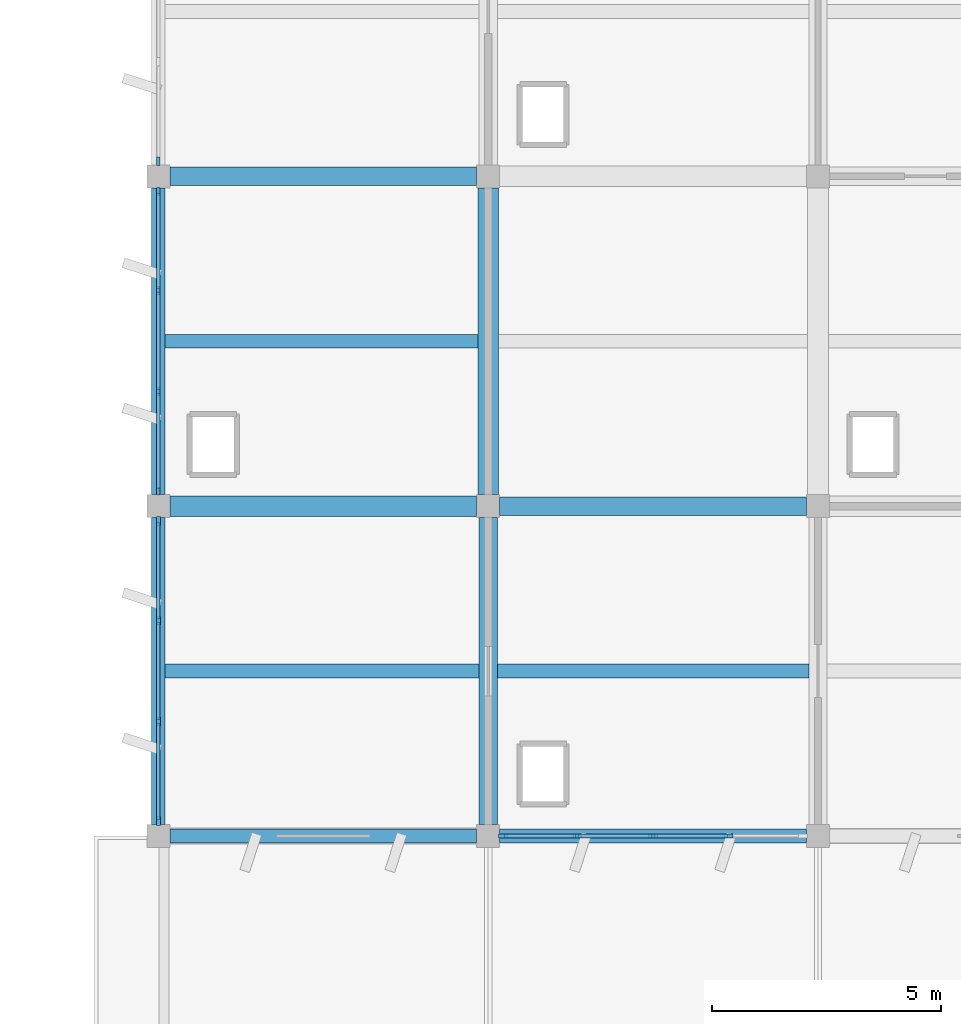
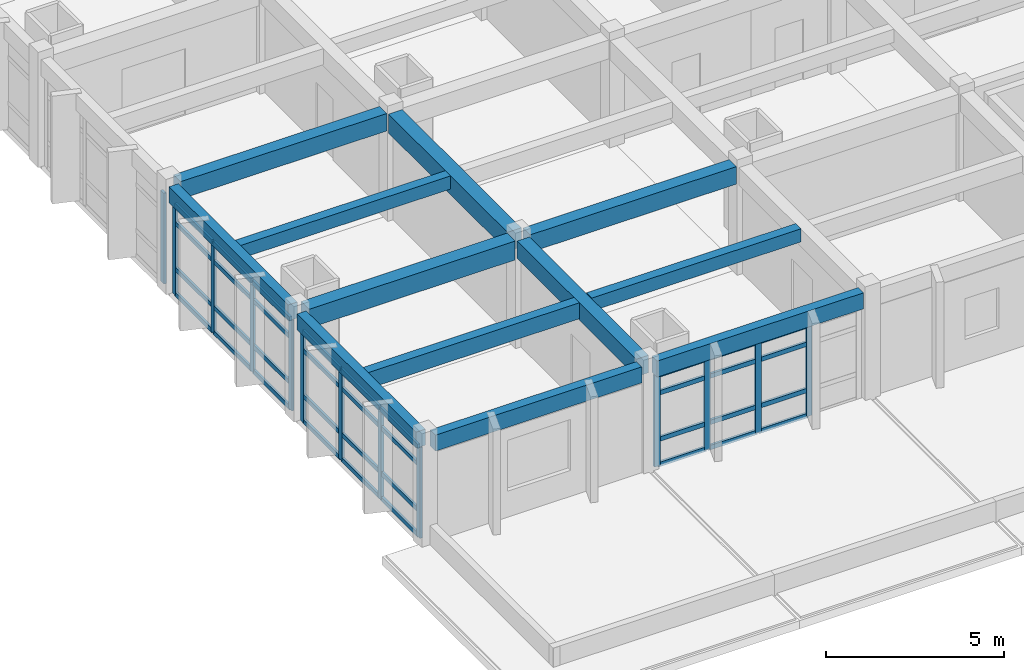
# One storey, part 13 of 40: 49 members, 12 beams, 4 elements without a shape of their own.
"""IFC4 building model written with IfcOpenShell, lengths in metres."""

from ifc_helpers import new_model, si_unit, direction, frame, origin, origin_2d, place, context, subcontext, project, spatial, rectangle, extrude, material, layer, layer_set, material_profile, profile_set, type_object, element, aggregate, save


model = new_model("IFC4")

# Units and contexts
model_context = context("Model", 3, precision=1e-05, world=origin(), true_north=direction((0.0, 1.0)))
body_context = subcontext(model_context, "Body", "Model", "MODEL_VIEW")
ifc_project = project(units=[si_unit("LENGTHUNIT", "METRE"), si_unit("AREAUNIT", "SQUARE_METRE"), si_unit("VOLUMEUNIT", "CUBIC_METRE"), si_unit("PLANEANGLEUNIT", "RADIAN"), si_unit("MASSUNIT", "GRAM", prefix="KILO")], contexts=[model_context])

# Site, building, storey
site_placement = place(None, origin())
site = spatial("IfcSite", under=ifc_project, at=site_placement, CompositionType="ELEMENT")
building_placement = place(site_placement, origin())
building = spatial("IfcBuilding", under=site, at=building_placement, Name="Kavelor Marine Aquarium", CompositionType="ELEMENT")
storey_placement = place(building_placement, frame((0.0, 0.0, 17.639892578125)))
storey = spatial("IfcBuildingStorey", under=building, at=storey_placement, Name="L04", CompositionType="ELEMENT", Elevation=17.639892578125)

# Beams
ifc_material_1 = material(Name="Concrete C40/50", Category="concrete")
ifc_material_profile_1 = material_profile(ifc_material_1, rectangle(XDim=0.449951171875, YDim=0.64990234375, at=origin_2d()), Name="RC-BM 450x650")
ifc_profile_set_1 = profile_set([ifc_material_profile_1], Name="Concrete C40/50")
beam_type_1 = type_object("IfcBeamType", Name="BM-B3", PredefinedType="BEAM", material=ifc_profile_set_1)
beam_1_placement = place(storey_placement, frame((118.64990234375, 74.800048828125, 3.355224609375), z_axis=(1.0, 0.0, 0.0), x_axis=(0.0, 1.0, 0.0)))
element("IfcBeam", 1, at=beam_1_placement, inside=storey, type_object=beam_type_1, Name="bm:x:L04:L05:16_10", PredefinedType="BEAM", context=body_context, shape_type="SweptSolid", body=[
    extrude(rectangle(XDim=0.449951171875, YDim=0.64990234375, at=origin_2d()), origin(), (0.0, 0.0, 1.0), 6.7001953125),
])
beam_2_placement = place(storey_placement, frame((125.60009765625, 75.050048828125, 3.355224609375), z_axis=(0.0, 1.0, 0.0), x_axis=(-1.0, 0.0, 0.0)))
element("IfcBeam", 2, at=beam_2_placement, inside=storey, type_object=beam_type_1, Name="bm:y:L04:L05:17_10", PredefinedType="BEAM", context=body_context, shape_type="SweptSolid", body=[
    extrude(rectangle(XDim=0.449951171875, YDim=0.64990234375, at=origin_2d()), origin(), (0.0, 0.0, 1.0), 6.699951171875),
])
ifc_material_2 = material(Name="Concrete C40/50", Category="concrete")
ifc_material_profile_2 = material_profile(ifc_material_2, rectangle(XDim=0.39990234375, YDim=0.60009765625, at=origin_2d()), Name="RC-BM 400x600")
ifc_profile_set_2 = profile_set([ifc_material_profile_2], Name="Concrete C40/50")
beam_type_2 = type_object("IfcBeamType", Name="BM-B4", PredefinedType="BEAM", material=ifc_profile_set_2)
beam_3_placement = place(storey_placement, frame((118.64990234375, 82.0, 3.380126953125), z_axis=(1.0, 0.0, 0.0), x_axis=(0.0, 1.0, 0.0)))
element("IfcBeam", 3, at=beam_3_placement, inside=storey, type_object=beam_type_2, Name="bm:x:L04:L05:16_11", PredefinedType="BEAM", context=body_context, shape_type="SweptSolid", body=[
    extrude(rectangle(XDim=0.39990234375, YDim=0.60009765625, at=origin_2d()), origin(), (0.0, 0.0, 1.0), 6.7001953125),
])
for number, where, z_axis, x_axis, name in (
    (4, (125.85009765625, 74.800048828125, 3.400146484375), (1.0, 0.0, 0.0), (0.0, 1.0, 0.0), "bm:x:L04:L05:17_10"),
    (5, (125.60009765625, 67.85009765625, 3.380126953125), (0.0, 1.0, 0.0), (-1.0, 0.0, 0.0), "bm:y:L04:L05:17_09"),
):
    element("IfcBeam", number, at=place(storey_placement, frame(where, z_axis=z_axis, x_axis=x_axis)), inside=storey, type_object=beam_type_2, Name=name, PredefinedType="BEAM", context=body_context, shape_type="SweptSolid", body=[
        extrude(rectangle(XDim=0.39990234375, YDim=0.60009765625, at=origin_2d()), origin(), (0.0, 0.0, 1.0), 6.699951171875),
    ])
ifc_material_3 = material(Name="Concrete C40/50", Category="concrete")
ifc_material_profile_3 = material_profile(ifc_material_3, rectangle(XDim=0.300048828125, YDim=0.449951171875, at=origin_2d()), Name="RC-JS 300x450")
ifc_profile_set_3 = profile_set([ifc_material_profile_3], Name="Concrete C40/50")
beam_type_3 = type_object("IfcBeamType", Name="BM-JS1", PredefinedType="JOIST", material=ifc_profile_set_3)
beam_4_placement = place(storey_placement, frame((118.550048828125, 78.39990234375, 3.455078125), z_axis=(1.0, 0.0, 0.0), x_axis=(0.0, 1.0, 0.0)))
element("IfcBeam", 6, at=beam_4_placement, inside=storey, type_object=beam_type_3, Name="js:L04:L05:16_10", PredefinedType="JOIST", context=body_context, shape_type="SweptSolid", body=[
    extrude(rectangle(XDim=0.300048828125, YDim=0.449951171875, at=origin_2d()), origin(), (0.0, 0.0, 1.0), 6.824951171875),
])
beam_5_placement = place(storey_placement, frame((125.800048828125, 71.199951171875, 3.47509765625), z_axis=(1.0, 0.0, 0.0), x_axis=(0.0, 1.0, 0.0)))
element("IfcBeam", 7, at=beam_5_placement, inside=storey, type_object=beam_type_3, Name="js:L04:L05:17_09", PredefinedType="JOIST", context=body_context, shape_type="SweptSolid", body=[
    extrude(rectangle(XDim=0.300048828125, YDim=0.449951171875, at=origin_2d()), origin(), (0.0, 0.0, 1.0), 6.800048828125),
])
ifc_material_4 = material(Name="Concrete C40/50", Category="concrete")
ifc_material_profile_4 = material_profile(ifc_material_4, rectangle(XDim=0.300048828125, YDim=0.550048828125, at=origin_2d()), Name="RC-JS 300x550")
ifc_profile_set_4 = profile_set([ifc_material_profile_4], Name="Concrete C40/50")
beam_type_4 = type_object("IfcBeamType", Name="BM-JS2", PredefinedType="JOIST", material=ifc_profile_set_4)
beam_6_placement = place(storey_placement, frame((118.550048828125, 71.199951171875, 3.405029296875), z_axis=(1.0, 0.0, 0.0), x_axis=(0.0, 1.0, 0.0)))
element("IfcBeam", 8, at=beam_6_placement, inside=storey, type_object=beam_type_4, Name="js:L04:L05:16_09", PredefinedType="JOIST", context=body_context, shape_type="SweptSolid", body=[
    extrude(rectangle(XDim=0.300048828125, YDim=0.550048828125, at=origin_2d()), origin(), (0.0, 0.0, 1.0), 6.849853515625),
])
ifc_material_5 = material(Name="Concrete C40/50", Category="concrete")
ifc_material_profile_5 = material_profile(ifc_material_5, rectangle(XDim=0.300048828125, YDim=0.550048828125, at=origin_2d()), Name="RC-SP 300x550")
ifc_profile_set_5 = profile_set([ifc_material_profile_5], Name="Concrete C40/50")
beam_type_5 = type_object("IfcBeamType", Name="BM-SP2", PredefinedType="SPANDREL", material=ifc_profile_set_5)
beam_7_placement = place(storey_placement, frame((118.64990234375, 67.60009765625, 3.405029296875), z_axis=(1.0, 0.0, 0.0), x_axis=(0.0, 1.0, 0.0)))
element("IfcBeam", 9, at=beam_7_placement, inside=storey, type_object=beam_type_5, Name="bm:x:L04:L05:16_09", PredefinedType="SPANDREL", context=body_context, shape_type="SweptSolid", body=[
    extrude(rectangle(XDim=0.300048828125, YDim=0.550048828125, at=origin_2d()), origin(), (0.0, 0.0, 1.0), 6.7001953125),
])
for number, where, z_axis, x_axis, name in (
    (10, (125.85009765625, 67.60009765625, 3.425048828125), (1.0, 0.0, 0.0), (0.0, 1.0, 0.0), "bm:x:L04:L05:17_09"),
    (11, (118.39990234375, 67.85009765625, 3.405029296875), (0.0, 1.0, 0.0), (-1.0, 0.0, 0.0), "bm:y:L04:L05:16_09"),
    (12, (118.39990234375, 75.050048828125, 3.405029296875), (0.0, 1.0, 0.0), (-1.0, 0.0, 0.0), "bm:y:L04:L05:16_10"),
):
    element("IfcBeam", number, at=place(storey_placement, frame(where, z_axis=z_axis, x_axis=x_axis)), inside=storey, type_object=beam_type_5, Name=name, PredefinedType="SPANDREL", context=body_context, shape_type="SweptSolid", body=[
        extrude(rectangle(XDim=0.300048828125, YDim=0.550048828125, at=origin_2d()), origin(), (0.0, 0.0, 1.0), 6.699951171875),
    ])

# Curtain wall, members
ifc_material_6 = material(Name="Thermally Broken Aluminium and Low-E Glass", Category="aluminium")
ifc_layer_1 = layer(ifc_material_6, 0.2919921875)
ifc_layer_set_1 = layer_set([ifc_layer_1], Name="CW-SYS19")
curtain_wall_type_1 = type_object("IfcCurtainWallType", Name="CW-SYS19", PredefinedType="USERDEFINED", material=ifc_layer_set_1)
curtain_wall_1_placement = place(storey_placement, origin())
curtain_wall_1 = element("IfcCurtainWall", 13, at=curtain_wall_1_placement, inside=storey, type_object=curtain_wall_type_1, Name="cw:y:L04:16_10", ObjectType="Curtain Wall", PredefinedType="USERDEFINED")
ifc_material_7 = material(Name="Anodised Aluminium Alloy 6063-T6", Category="aluminium")
ifc_material_profile_6 = material_profile(ifc_material_7, rectangle(XDim=0.074951171875, YDim=0.179931640625, at=origin_2d()), Name="CW-MUL 75x180")
ifc_profile_set_6 = profile_set([ifc_material_profile_6], Name="Anodised Aluminium Alloy 6063-T6")
member_type_1 = type_object("IfcMemberType", Name="CWM-1", PredefinedType="MULLION", material=ifc_profile_set_6)
member_1_placement = place(storey_placement, frame((118.39990234375, 81.66748046875, 0.0), z_axis=(0.0, 0.0, 1.0), x_axis=(1.0, 0.0, 0.0)))
member_1 = element("IfcMember", 14, at=member_1_placement, type_object=member_type_1, Name="CW19 mullion 1", PredefinedType="MULLION", context=body_context, shape_type="SweptSolid", body=[
    extrude(rectangle(XDim=0.074951171875, YDim=0.179931640625, at=origin_2d()), origin(), (0.0, 0.0, 1.0), 3.1201171875),
])
member_2_placement = place(storey_placement, frame((118.39990234375, 79.501708984375, 0.0), z_axis=(0.0, 0.0, 1.0), x_axis=(1.0, 0.0, 0.0)))
member_2 = element("IfcMember", 15, at=member_2_placement, type_object=member_type_1, Name="CW19 mullion 2", PredefinedType="MULLION", context=body_context, shape_type="SweptSolid", body=[
    extrude(rectangle(XDim=0.074951171875, YDim=0.179931640625, at=origin_2d()), origin(), (0.0, 0.0, 1.0), 3.1201171875),
])
member_3_placement = place(storey_placement, frame((118.39990234375, 77.29833984375, 0.0), z_axis=(0.0, 0.0, 1.0), x_axis=(1.0, 0.0, 0.0)))
member_3 = element("IfcMember", 16, at=member_3_placement, type_object=member_type_1, Name="CW19 mullion 3", PredefinedType="MULLION", context=body_context, shape_type="SweptSolid", body=[
    extrude(rectangle(XDim=0.074951171875, YDim=0.179931640625, at=origin_2d()), origin(), (0.0, 0.0, 1.0), 3.1201171875),
])
member_4_placement = place(storey_placement, frame((118.39990234375, 75.132568359375, 0.0), z_axis=(0.0, 0.0, 1.0), x_axis=(1.0, 0.0, 0.0)))
member_4 = element("IfcMember", 17, at=member_4_placement, type_object=member_type_1, Name="CW19 mullion 4", PredefinedType="MULLION", context=body_context, shape_type="SweptSolid", body=[
    extrude(rectangle(XDim=0.074951171875, YDim=0.179931640625, at=origin_2d()), origin(), (0.0, 0.0, 1.0), 3.1201171875),
])

# Curtain wall, member
ifc_material_8 = material(Name="Thermally Broken Aluminium and Low-E Glass", Category="aluminium")
ifc_layer_2 = layer(ifc_material_8, 0.300048828125)
ifc_layer_set_2 = layer_set([ifc_layer_2], Name="CW-SYS20")
curtain_wall_type_2 = type_object("IfcCurtainWallType", Name="CW-SYS20", PredefinedType="USERDEFINED", material=ifc_layer_set_2)
curtain_wall_2_placement = place(storey_placement, origin())
curtain_wall_2 = element("IfcCurtainWall", 18, at=curtain_wall_2_placement, inside=storey, type_object=curtain_wall_type_2, Name="cw:y:L04:16_11", ObjectType="Curtain Wall", PredefinedType="USERDEFINED")
ifc_material_9 = material(Name="Anodised Aluminium Alloy 6063-T6", Category="aluminium")
ifc_material_profile_7 = material_profile(ifc_material_9, rectangle(XDim=0.080078125, YDim=0.18505859375, at=origin_2d()), Name="CW-MUL 80x185")
ifc_profile_set_7 = profile_set([ifc_material_profile_7], Name="Anodised Aluminium Alloy 6063-T6")
member_type_2 = type_object("IfcMemberType", Name="CWM-2", PredefinedType="MULLION", material=ifc_profile_set_7)
member_5_placement = place(storey_placement, frame((118.39990234375, 82.327392578125, 0.0), z_axis=(0.0, 0.0, 1.0), x_axis=(1.0, 0.0, 0.0)))
member_5 = element("IfcMember", 19, at=member_5_placement, type_object=member_type_2, Name="CW20 mullion 4", PredefinedType="MULLION", context=body_context, shape_type="SweptSolid", body=[
    extrude(rectangle(XDim=0.080078125, YDim=0.18505859375, at=origin_2d()), origin(), (0.0, 0.0, 1.0), 3.1201171875),
])
aggregate(curtain_wall_2, [member_5])

# Curtain wall, members
ifc_material_10 = material(Name="Thermally Broken Aluminium and Low-E Glass", Category="aluminium")
ifc_layer_3 = layer(ifc_material_10, 0.260009765625)
ifc_layer_set_3 = layer_set([ifc_layer_3], Name="CW-SYS15")
curtain_wall_type_3 = type_object("IfcCurtainWallType", Name="CW-SYS15", PredefinedType="USERDEFINED", material=ifc_layer_set_3)
curtain_wall_3_placement = place(storey_placement, origin())
curtain_wall_3 = element("IfcCurtainWall", 20, at=curtain_wall_3_placement, inside=storey, type_object=curtain_wall_type_3, Name="cw:x:L04:17_09", ObjectType="Curtain Wall", PredefinedType="USERDEFINED")
ifc_material_11 = material(Name="Anodised Aluminium Alloy 6063-T6", Category="aluminium")
ifc_material_profile_8 = material_profile(ifc_material_11, rectangle(XDim=0.0849609375, YDim=0.18994140625, at=origin_2d()), Name="CW-MUL 85x190")
ifc_profile_set_8 = profile_set([ifc_material_profile_8], Name="Anodised Aluminium Alloy 6063-T6")
member_type_3 = type_object("IfcMemberType", Name="CWM-3", PredefinedType="MULLION", material=ifc_profile_set_8)
member_6_placement = place(storey_placement, frame((130.8525390625, 67.60009765625, 0.0), z_axis=(0.0, 0.0, 1.0), x_axis=(0.0, -1.0, 0.0)))
member_6 = element("IfcMember", 21, at=member_6_placement, type_object=member_type_3, Name="CW15 mullion 2", PredefinedType="MULLION", context=body_context, shape_type="SweptSolid", body=[
    extrude(rectangle(XDim=0.0849609375, YDim=0.18994140625, at=origin_2d()), origin(), (0.0, 0.0, 1.0), 3.14013671875),
])
member_7_placement = place(storey_placement, frame((129.199951171875, 67.60009765625, 0.0), z_axis=(0.0, 0.0, 1.0), x_axis=(0.0, -1.0, 0.0)))
member_7 = element("IfcMember", 22, at=member_7_placement, type_object=member_type_3, Name="CW15 mullion 3", PredefinedType="MULLION", context=body_context, shape_type="SweptSolid", body=[
    extrude(rectangle(XDim=0.0849609375, YDim=0.18994140625, at=origin_2d()), origin(), (0.0, 0.0, 1.0), 3.14013671875),
])
member_8_placement = place(storey_placement, frame((127.547607421875, 67.60009765625, 0.0), z_axis=(0.0, 0.0, 1.0), x_axis=(0.0, -1.0, 0.0)))
member_8 = element("IfcMember", 23, at=member_8_placement, type_object=member_type_3, Name="CW15 mullion 4", PredefinedType="MULLION", context=body_context, shape_type="SweptSolid", body=[
    extrude(rectangle(XDim=0.0849609375, YDim=0.18994140625, at=origin_2d()), origin(), (0.0, 0.0, 1.0), 3.14013671875),
])
member_9_placement = place(storey_placement, frame((125.925048828125, 67.60009765625, 0.0), z_axis=(0.0, 0.0, 1.0), x_axis=(0.0, -1.0, 0.0)))
member_9 = element("IfcMember", 24, at=member_9_placement, type_object=member_type_3, Name="CW15 mullion 5", PredefinedType="MULLION", context=body_context, shape_type="SweptSolid", body=[
    extrude(rectangle(XDim=0.0849609375, YDim=0.18994140625, at=origin_2d()), origin(), (0.0, 0.0, 1.0), 3.14013671875),
])

ifc_material_12 = material(Name="Thermally Broken Aluminium and Low-E Glass", Category="aluminium")
ifc_layer_4 = layer(ifc_material_12, 0.283935546875)
ifc_layer_set_4 = layer_set([ifc_layer_4], Name="CW-SYS18")
curtain_wall_type_4 = type_object("IfcCurtainWallType", Name="CW-SYS18", PredefinedType="USERDEFINED", material=ifc_layer_set_4)
curtain_wall_4_placement = place(storey_placement, origin())
curtain_wall_4 = element("IfcCurtainWall", 25, at=curtain_wall_4_placement, inside=storey, type_object=curtain_wall_type_4, Name="cw:y:L04:16_09", ObjectType="Curtain Wall", PredefinedType="USERDEFINED")
member_10_placement = place(storey_placement, frame((118.39990234375, 74.47509765625, 0.0), z_axis=(0.0, 0.0, 1.0), x_axis=(1.0, 0.0, 0.0)))
member_10 = element("IfcMember", 26, at=member_10_placement, type_object=member_type_3, Name="CW18 mullion 1", PredefinedType="MULLION", context=body_context, shape_type="SweptSolid", body=[
    extrude(rectangle(XDim=0.0849609375, YDim=0.18994140625, at=origin_2d()), origin(), (0.0, 0.0, 1.0), 3.1201171875),
])
member_11_placement = place(storey_placement, frame((118.39990234375, 72.3017578125, 0.0), z_axis=(0.0, 0.0, 1.0), x_axis=(1.0, 0.0, 0.0)))
member_11 = element("IfcMember", 27, at=member_11_placement, type_object=member_type_3, Name="CW18 mullion 2", PredefinedType="MULLION", context=body_context, shape_type="SweptSolid", body=[
    extrude(rectangle(XDim=0.0849609375, YDim=0.18994140625, at=origin_2d()), origin(), (0.0, 0.0, 1.0), 3.1201171875),
])
member_12_placement = place(storey_placement, frame((118.39990234375, 70.098388671875, 0.0), z_axis=(0.0, 0.0, 1.0), x_axis=(1.0, 0.0, 0.0)))
member_12 = element("IfcMember", 28, at=member_12_placement, type_object=member_type_3, Name="CW18 mullion 3", PredefinedType="MULLION", context=body_context, shape_type="SweptSolid", body=[
    extrude(rectangle(XDim=0.0849609375, YDim=0.18994140625, at=origin_2d()), origin(), (0.0, 0.0, 1.0), 3.1201171875),
])
member_13_placement = place(storey_placement, frame((118.39990234375, 67.925048828125, 0.0), z_axis=(0.0, 0.0, 1.0), x_axis=(1.0, 0.0, 0.0)))
member_13 = element("IfcMember", 29, at=member_13_placement, type_object=member_type_3, Name="CW18 mullion 4", PredefinedType="MULLION", context=body_context, shape_type="SweptSolid", body=[
    extrude(rectangle(XDim=0.0849609375, YDim=0.18994140625, at=origin_2d()), origin(), (0.0, 0.0, 1.0), 3.1201171875),
])
ifc_material_13 = material(Name="Anodised Aluminium Alloy 6063-T6", Category="aluminium")
ifc_material_profile_9 = material_profile(ifc_material_13, rectangle(XDim=0.074951171875, YDim=0.14990234375, at=origin_2d()), Name="CW-TRN 75x150")
ifc_profile_set_9 = profile_set([ifc_material_profile_9], Name="Anodised Aluminium Alloy 6063-T6")
member_type_4 = type_object("IfcMemberType", Name="CWT-1", PredefinedType="USERDEFINED", material=ifc_profile_set_9)
member_14_placement = place(storey_placement, frame((118.39990234375, 74.445068359375, 0.03759765625), z_axis=(0.0, -1.0, 0.0), x_axis=(1.0, 0.0, 0.0)))
member_14 = element("IfcMember", 30, at=member_14_placement, type_object=member_type_4, Name="CW18 transom 1.1", ObjectType="TRANSOM", PredefinedType="USERDEFINED", context=body_context, shape_type="SweptSolid", body=[
    extrude(rectangle(XDim=0.074951171875, YDim=0.14990234375, at=origin_2d()), origin(), (0.0, 0.0, 1.0), 2.11328125),
])
member_15_placement = place(storey_placement, frame((118.39990234375, 74.445068359375, 0.900146484375), z_axis=(0.0, -1.0, 0.0), x_axis=(1.0, 0.0, 0.0)))
member_15 = element("IfcMember", 31, at=member_15_placement, type_object=member_type_4, Name="CW18 transom 1.2", ObjectType="TRANSOM", PredefinedType="USERDEFINED", context=body_context, shape_type="SweptSolid", body=[
    extrude(rectangle(XDim=0.074951171875, YDim=0.14990234375, at=origin_2d()), origin(), (0.0, 0.0, 1.0), 2.11328125),
])
member_16_placement = place(storey_placement, frame((118.39990234375, 74.445068359375, 2.47021484375), z_axis=(0.0, -1.0, 0.0), x_axis=(1.0, 0.0, 0.0)))
member_16 = element("IfcMember", 32, at=member_16_placement, type_object=member_type_4, Name="CW18 transom 1.3", ObjectType="TRANSOM", PredefinedType="USERDEFINED", context=body_context, shape_type="SweptSolid", body=[
    extrude(rectangle(XDim=0.074951171875, YDim=0.14990234375, at=origin_2d()), origin(), (0.0, 0.0, 1.0), 2.11328125),
])
member_17_placement = place(storey_placement, frame((118.39990234375, 74.445068359375, 3.08251953125), z_axis=(0.0, -1.0, 0.0), x_axis=(1.0, 0.0, 0.0)))
member_17 = element("IfcMember", 33, at=member_17_placement, type_object=member_type_4, Name="CW18 transom 1.4", ObjectType="TRANSOM", PredefinedType="USERDEFINED", context=body_context, shape_type="SweptSolid", body=[
    extrude(rectangle(XDim=0.074951171875, YDim=0.14990234375, at=origin_2d()), origin(), (0.0, 0.0, 1.0), 2.11328125),
])
member_18_placement = place(storey_placement, frame((118.39990234375, 72.271728515625, 0.03759765625), z_axis=(0.0, -1.0, 0.0), x_axis=(1.0, 0.0, 0.0)))
member_18 = element("IfcMember", 34, at=member_18_placement, type_object=member_type_4, Name="CW18 transom 2.1", ObjectType="TRANSOM", PredefinedType="USERDEFINED", context=body_context, shape_type="SweptSolid", body=[
    extrude(rectangle(XDim=0.074951171875, YDim=0.14990234375, at=origin_2d()), origin(), (0.0, 0.0, 1.0), 2.143310546875),
])
member_19_placement = place(storey_placement, frame((118.39990234375, 72.271728515625, 0.900146484375), z_axis=(0.0, -1.0, 0.0), x_axis=(1.0, 0.0, 0.0)))
member_19 = element("IfcMember", 35, at=member_19_placement, type_object=member_type_4, Name="CW18 transom 2.2", ObjectType="TRANSOM", PredefinedType="USERDEFINED", context=body_context, shape_type="SweptSolid", body=[
    extrude(rectangle(XDim=0.074951171875, YDim=0.14990234375, at=origin_2d()), origin(), (0.0, 0.0, 1.0), 2.143310546875),
])
member_20_placement = place(storey_placement, frame((118.39990234375, 72.271728515625, 2.47021484375), z_axis=(0.0, -1.0, 0.0), x_axis=(1.0, 0.0, 0.0)))
member_20 = element("IfcMember", 36, at=member_20_placement, type_object=member_type_4, Name="CW18 transom 2.3", ObjectType="TRANSOM", PredefinedType="USERDEFINED", context=body_context, shape_type="SweptSolid", body=[
    extrude(rectangle(XDim=0.074951171875, YDim=0.14990234375, at=origin_2d()), origin(), (0.0, 0.0, 1.0), 2.143310546875),
])
member_21_placement = place(storey_placement, frame((118.39990234375, 72.271728515625, 3.08251953125), z_axis=(0.0, -1.0, 0.0), x_axis=(1.0, 0.0, 0.0)))
member_21 = element("IfcMember", 37, at=member_21_placement, type_object=member_type_4, Name="CW18 transom 2.4", ObjectType="TRANSOM", PredefinedType="USERDEFINED", context=body_context, shape_type="SweptSolid", body=[
    extrude(rectangle(XDim=0.074951171875, YDim=0.14990234375, at=origin_2d()), origin(), (0.0, 0.0, 1.0), 2.143310546875),
])
member_22_placement = place(storey_placement, frame((118.39990234375, 70.068359375, 0.03759765625), z_axis=(0.0, -1.0, 0.0), x_axis=(1.0, 0.0, 0.0)))
member_22 = element("IfcMember", 38, at=member_22_placement, type_object=member_type_4, Name="CW18 transom 3.1", ObjectType="TRANSOM", PredefinedType="USERDEFINED", context=body_context, shape_type="SweptSolid", body=[
    extrude(rectangle(XDim=0.074951171875, YDim=0.14990234375, at=origin_2d()), origin(), (0.0, 0.0, 1.0), 2.11328125),
])
member_23_placement = place(storey_placement, frame((118.39990234375, 70.068359375, 0.900146484375), z_axis=(0.0, -1.0, 0.0), x_axis=(1.0, 0.0, 0.0)))
member_23 = element("IfcMember", 39, at=member_23_placement, type_object=member_type_4, Name="CW18 transom 3.2", ObjectType="TRANSOM", PredefinedType="USERDEFINED", context=body_context, shape_type="SweptSolid", body=[
    extrude(rectangle(XDim=0.074951171875, YDim=0.14990234375, at=origin_2d()), origin(), (0.0, 0.0, 1.0), 2.11328125),
])
member_24_placement = place(storey_placement, frame((118.39990234375, 70.068359375, 2.47021484375), z_axis=(0.0, -1.0, 0.0), x_axis=(1.0, 0.0, 0.0)))
member_24 = element("IfcMember", 40, at=member_24_placement, type_object=member_type_4, Name="CW18 transom 3.3", ObjectType="TRANSOM", PredefinedType="USERDEFINED", context=body_context, shape_type="SweptSolid", body=[
    extrude(rectangle(XDim=0.074951171875, YDim=0.14990234375, at=origin_2d()), origin(), (0.0, 0.0, 1.0), 2.11328125),
])
member_25_placement = place(storey_placement, frame((118.39990234375, 70.068359375, 3.08251953125), z_axis=(0.0, -1.0, 0.0), x_axis=(1.0, 0.0, 0.0)))
member_25 = element("IfcMember", 41, at=member_25_placement, type_object=member_type_4, Name="CW18 transom 3.4", ObjectType="TRANSOM", PredefinedType="USERDEFINED", context=body_context, shape_type="SweptSolid", body=[
    extrude(rectangle(XDim=0.074951171875, YDim=0.14990234375, at=origin_2d()), origin(), (0.0, 0.0, 1.0), 2.11328125),
])
aggregate(curtain_wall_4, [member_10, member_11, member_12, member_13, member_14, member_15, member_16, member_17, member_18, member_19, member_20, member_21, member_22, member_23, member_24, member_25])

# Member
member_26_placement = place(storey_placement, frame((118.39990234375, 81.6298828125, 0.03759765625), z_axis=(0.0, -1.0, 0.0), x_axis=(1.0, 0.0, 0.0)))
member_26 = element("IfcMember", 42, at=member_26_placement, type_object=member_type_4, Name="CW19 transom 1.1", ObjectType="TRANSOM", PredefinedType="USERDEFINED", context=body_context, shape_type="SweptSolid", body=[
    extrude(rectangle(XDim=0.074951171875, YDim=0.14990234375, at=origin_2d()), origin(), (0.0, 0.0, 1.0), 2.0908203125),
])

member_27_placement = place(storey_placement, frame((118.39990234375, 81.6298828125, 0.900146484375), z_axis=(0.0, -1.0, 0.0), x_axis=(1.0, 0.0, 0.0)))
member_27 = element("IfcMember", 43, at=member_27_placement, type_object=member_type_4, Name="CW19 transom 1.2", ObjectType="TRANSOM", PredefinedType="USERDEFINED", context=body_context, shape_type="SweptSolid", body=[
    extrude(rectangle(XDim=0.074951171875, YDim=0.14990234375, at=origin_2d()), origin(), (0.0, 0.0, 1.0), 2.0908203125),
])

member_28_placement = place(storey_placement, frame((118.39990234375, 81.6298828125, 2.47021484375), z_axis=(0.0, -1.0, 0.0), x_axis=(1.0, 0.0, 0.0)))
member_28 = element("IfcMember", 44, at=member_28_placement, type_object=member_type_4, Name="CW19 transom 1.3", ObjectType="TRANSOM", PredefinedType="USERDEFINED", context=body_context, shape_type="SweptSolid", body=[
    extrude(rectangle(XDim=0.074951171875, YDim=0.14990234375, at=origin_2d()), origin(), (0.0, 0.0, 1.0), 2.0908203125),
])

member_29_placement = place(storey_placement, frame((118.39990234375, 81.6298828125, 3.08251953125), z_axis=(0.0, -1.0, 0.0), x_axis=(1.0, 0.0, 0.0)))
member_29 = element("IfcMember", 45, at=member_29_placement, type_object=member_type_4, Name="CW19 transom 1.4", ObjectType="TRANSOM", PredefinedType="USERDEFINED", context=body_context, shape_type="SweptSolid", body=[
    extrude(rectangle(XDim=0.074951171875, YDim=0.14990234375, at=origin_2d()), origin(), (0.0, 0.0, 1.0), 2.0908203125),
])

member_30_placement = place(storey_placement, frame((118.39990234375, 79.464111328125, 0.03759765625), z_axis=(0.0, -1.0, 0.0), x_axis=(1.0, 0.0, 0.0)))
member_30 = element("IfcMember", 46, at=member_30_placement, type_object=member_type_4, Name="CW19 transom 2.1", ObjectType="TRANSOM", PredefinedType="USERDEFINED", context=body_context, shape_type="SweptSolid", body=[
    extrude(rectangle(XDim=0.074951171875, YDim=0.14990234375, at=origin_2d()), origin(), (0.0, 0.0, 1.0), 2.128173828125),
])

member_31_placement = place(storey_placement, frame((118.39990234375, 79.464111328125, 0.900146484375), z_axis=(0.0, -1.0, 0.0), x_axis=(1.0, 0.0, 0.0)))
member_31 = element("IfcMember", 47, at=member_31_placement, type_object=member_type_4, Name="CW19 transom 2.2", ObjectType="TRANSOM", PredefinedType="USERDEFINED", context=body_context, shape_type="SweptSolid", body=[
    extrude(rectangle(XDim=0.074951171875, YDim=0.14990234375, at=origin_2d()), origin(), (0.0, 0.0, 1.0), 2.128173828125),
])

member_32_placement = place(storey_placement, frame((118.39990234375, 79.464111328125, 2.47021484375), z_axis=(0.0, -1.0, 0.0), x_axis=(1.0, 0.0, 0.0)))
member_32 = element("IfcMember", 48, at=member_32_placement, type_object=member_type_4, Name="CW19 transom 2.3", ObjectType="TRANSOM", PredefinedType="USERDEFINED", context=body_context, shape_type="SweptSolid", body=[
    extrude(rectangle(XDim=0.074951171875, YDim=0.14990234375, at=origin_2d()), origin(), (0.0, 0.0, 1.0), 2.128173828125),
])

member_33_placement = place(storey_placement, frame((118.39990234375, 79.464111328125, 3.08251953125), z_axis=(0.0, -1.0, 0.0), x_axis=(1.0, 0.0, 0.0)))
member_33 = element("IfcMember", 49, at=member_33_placement, type_object=member_type_4, Name="CW19 transom 2.4", ObjectType="TRANSOM", PredefinedType="USERDEFINED", context=body_context, shape_type="SweptSolid", body=[
    extrude(rectangle(XDim=0.074951171875, YDim=0.14990234375, at=origin_2d()), origin(), (0.0, 0.0, 1.0), 2.128173828125),
])

member_34_placement = place(storey_placement, frame((118.39990234375, 77.2607421875, 0.03759765625), z_axis=(0.0, -1.0, 0.0), x_axis=(1.0, 0.0, 0.0)))
member_34 = element("IfcMember", 50, at=member_34_placement, type_object=member_type_4, Name="CW19 transom 3.1", ObjectType="TRANSOM", PredefinedType="USERDEFINED", context=body_context, shape_type="SweptSolid", body=[
    extrude(rectangle(XDim=0.074951171875, YDim=0.14990234375, at=origin_2d()), origin(), (0.0, 0.0, 1.0), 2.0908203125),
])

member_35_placement = place(storey_placement, frame((118.39990234375, 77.2607421875, 0.900146484375), z_axis=(0.0, -1.0, 0.0), x_axis=(1.0, 0.0, 0.0)))
member_35 = element("IfcMember", 51, at=member_35_placement, type_object=member_type_4, Name="CW19 transom 3.2", ObjectType="TRANSOM", PredefinedType="USERDEFINED", context=body_context, shape_type="SweptSolid", body=[
    extrude(rectangle(XDim=0.074951171875, YDim=0.14990234375, at=origin_2d()), origin(), (0.0, 0.0, 1.0), 2.0908203125),
])

member_36_placement = place(storey_placement, frame((118.39990234375, 77.2607421875, 2.47021484375), z_axis=(0.0, -1.0, 0.0), x_axis=(1.0, 0.0, 0.0)))
member_36 = element("IfcMember", 52, at=member_36_placement, type_object=member_type_4, Name="CW19 transom 3.3", ObjectType="TRANSOM", PredefinedType="USERDEFINED", context=body_context, shape_type="SweptSolid", body=[
    extrude(rectangle(XDim=0.074951171875, YDim=0.14990234375, at=origin_2d()), origin(), (0.0, 0.0, 1.0), 2.0908203125),
])

member_37_placement = place(storey_placement, frame((118.39990234375, 77.2607421875, 3.08251953125), z_axis=(0.0, -1.0, 0.0), x_axis=(1.0, 0.0, 0.0)))
member_37 = element("IfcMember", 53, at=member_37_placement, type_object=member_type_4, Name="CW19 transom 3.4", ObjectType="TRANSOM", PredefinedType="USERDEFINED", context=body_context, shape_type="SweptSolid", body=[
    extrude(rectangle(XDim=0.074951171875, YDim=0.14990234375, at=origin_2d()), origin(), (0.0, 0.0, 1.0), 2.0908203125),
])

aggregate(curtain_wall_1, [member_1, member_2, member_3, member_4, member_26, member_27, member_28, member_29, member_30, member_31, member_32, member_33, member_34, member_35, member_36, member_37])

ifc_material_14 = material(Name="Anodised Aluminium Alloy 6063-T6", Category="aluminium")
ifc_material_profile_10 = material_profile(ifc_material_14, rectangle(XDim=0.080078125, YDim=0.155029296875, at=origin_2d()), Name="CW-TRN 80x155")
ifc_profile_set_10 = profile_set([ifc_material_profile_10], Name="Anodised Aluminium Alloy 6063-T6")
member_type_5 = type_object("IfcMemberType", Name="CWT-2", PredefinedType="USERDEFINED", material=ifc_profile_set_10)
member_38_placement = place(storey_placement, frame((130.822509765625, 67.60009765625, 0.03271484375), z_axis=(-1.0, 0.0, 0.0), x_axis=(0.0, -1.0, 0.0)))
member_38 = element("IfcMember", 54, at=member_38_placement, type_object=member_type_5, Name="CW15 transom 2.1", ObjectType="TRANSOM", PredefinedType="USERDEFINED", context=body_context, shape_type="SweptSolid", body=[
    extrude(rectangle(XDim=0.080078125, YDim=0.155029296875, at=origin_2d()), origin(), (0.0, 0.0, 1.0), 1.592529296875),
])

member_39_placement = place(storey_placement, frame((130.822509765625, 67.60009765625, 0.900146484375), z_axis=(-1.0, 0.0, 0.0), x_axis=(0.0, -1.0, 0.0)))
member_39 = element("IfcMember", 55, at=member_39_placement, type_object=member_type_5, Name="CW15 transom 2.2", ObjectType="TRANSOM", PredefinedType="USERDEFINED", context=body_context, shape_type="SweptSolid", body=[
    extrude(rectangle(XDim=0.080078125, YDim=0.155029296875, at=origin_2d()), origin(), (0.0, 0.0, 1.0), 1.592529296875),
])

member_40_placement = place(storey_placement, frame((130.822509765625, 67.60009765625, 2.489990234375), z_axis=(-1.0, 0.0, 0.0), x_axis=(0.0, -1.0, 0.0)))
member_40 = element("IfcMember", 56, at=member_40_placement, type_object=member_type_5, Name="CW15 transom 2.3", ObjectType="TRANSOM", PredefinedType="USERDEFINED", context=body_context, shape_type="SweptSolid", body=[
    extrude(rectangle(XDim=0.080078125, YDim=0.155029296875, at=origin_2d()), origin(), (0.0, 0.0, 1.0), 1.592529296875),
])

member_41_placement = place(storey_placement, frame((130.822509765625, 67.60009765625, 3.107666015625), z_axis=(-1.0, 0.0, 0.0), x_axis=(0.0, -1.0, 0.0)))
member_41 = element("IfcMember", 57, at=member_41_placement, type_object=member_type_5, Name="CW15 transom 2.4", ObjectType="TRANSOM", PredefinedType="USERDEFINED", context=body_context, shape_type="SweptSolid", body=[
    extrude(rectangle(XDim=0.080078125, YDim=0.155029296875, at=origin_2d()), origin(), (0.0, 0.0, 1.0), 1.592529296875),
])

member_42_placement = place(storey_placement, frame((129.169921875, 67.60009765625, 0.03271484375), z_axis=(-1.0, 0.0, 0.0), x_axis=(0.0, -1.0, 0.0)))
member_42 = element("IfcMember", 58, at=member_42_placement, type_object=member_type_5, Name="CW15 transom 3.1", ObjectType="TRANSOM", PredefinedType="USERDEFINED", context=body_context, shape_type="SweptSolid", body=[
    extrude(rectangle(XDim=0.080078125, YDim=0.155029296875, at=origin_2d()), origin(), (0.0, 0.0, 1.0), 1.592529296875),
])

member_43_placement = place(storey_placement, frame((129.169921875, 67.60009765625, 0.900146484375), z_axis=(-1.0, 0.0, 0.0), x_axis=(0.0, -1.0, 0.0)))
member_43 = element("IfcMember", 59, at=member_43_placement, type_object=member_type_5, Name="CW15 transom 3.2", ObjectType="TRANSOM", PredefinedType="USERDEFINED", context=body_context, shape_type="SweptSolid", body=[
    extrude(rectangle(XDim=0.080078125, YDim=0.155029296875, at=origin_2d()), origin(), (0.0, 0.0, 1.0), 1.592529296875),
])

member_44_placement = place(storey_placement, frame((129.169921875, 67.60009765625, 2.489990234375), z_axis=(-1.0, 0.0, 0.0), x_axis=(0.0, -1.0, 0.0)))
member_44 = element("IfcMember", 60, at=member_44_placement, type_object=member_type_5, Name="CW15 transom 3.3", ObjectType="TRANSOM", PredefinedType="USERDEFINED", context=body_context, shape_type="SweptSolid", body=[
    extrude(rectangle(XDim=0.080078125, YDim=0.155029296875, at=origin_2d()), origin(), (0.0, 0.0, 1.0), 1.592529296875),
])

member_45_placement = place(storey_placement, frame((129.169921875, 67.60009765625, 3.107666015625), z_axis=(-1.0, 0.0, 0.0), x_axis=(0.0, -1.0, 0.0)))
member_45 = element("IfcMember", 61, at=member_45_placement, type_object=member_type_5, Name="CW15 transom 3.4", ObjectType="TRANSOM", PredefinedType="USERDEFINED", context=body_context, shape_type="SweptSolid", body=[
    extrude(rectangle(XDim=0.080078125, YDim=0.155029296875, at=origin_2d()), origin(), (0.0, 0.0, 1.0), 1.592529296875),
])

member_46_placement = place(storey_placement, frame((127.517578125, 67.60009765625, 0.03271484375), z_axis=(-1.0, 0.0, 0.0), x_axis=(0.0, -1.0, 0.0)))
member_46 = element("IfcMember", 62, at=member_46_placement, type_object=member_type_5, Name="CW15 transom 4.1", ObjectType="TRANSOM", PredefinedType="USERDEFINED", context=body_context, shape_type="SweptSolid", body=[
    extrude(rectangle(XDim=0.080078125, YDim=0.155029296875, at=origin_2d()), origin(), (0.0, 0.0, 1.0), 1.5625),
])

member_47_placement = place(storey_placement, frame((127.517578125, 67.60009765625, 0.900146484375), z_axis=(-1.0, 0.0, 0.0), x_axis=(0.0, -1.0, 0.0)))
member_47 = element("IfcMember", 63, at=member_47_placement, type_object=member_type_5, Name="CW15 transom 4.2", ObjectType="TRANSOM", PredefinedType="USERDEFINED", context=body_context, shape_type="SweptSolid", body=[
    extrude(rectangle(XDim=0.080078125, YDim=0.155029296875, at=origin_2d()), origin(), (0.0, 0.0, 1.0), 1.5625),
])

member_48_placement = place(storey_placement, frame((127.517578125, 67.60009765625, 2.489990234375), z_axis=(-1.0, 0.0, 0.0), x_axis=(0.0, -1.0, 0.0)))
member_48 = element("IfcMember", 64, at=member_48_placement, type_object=member_type_5, Name="CW15 transom 4.3", ObjectType="TRANSOM", PredefinedType="USERDEFINED", context=body_context, shape_type="SweptSolid", body=[
    extrude(rectangle(XDim=0.080078125, YDim=0.155029296875, at=origin_2d()), origin(), (0.0, 0.0, 1.0), 1.5625),
])

member_49_placement = place(storey_placement, frame((127.517578125, 67.60009765625, 3.107666015625), z_axis=(-1.0, 0.0, 0.0), x_axis=(0.0, -1.0, 0.0)))
member_49 = element("IfcMember", 65, at=member_49_placement, type_object=member_type_5, Name="CW15 transom 4.4", ObjectType="TRANSOM", PredefinedType="USERDEFINED", context=body_context, shape_type="SweptSolid", body=[
    extrude(rectangle(XDim=0.080078125, YDim=0.155029296875, at=origin_2d()), origin(), (0.0, 0.0, 1.0), 1.5625),
])

aggregate(curtain_wall_3, [member_6, member_7, member_8, member_9, member_38, member_39, member_40, member_41, member_42, member_43, member_44, member_45, member_46, member_47, member_48, member_49])

save(model, "model.ifc")
